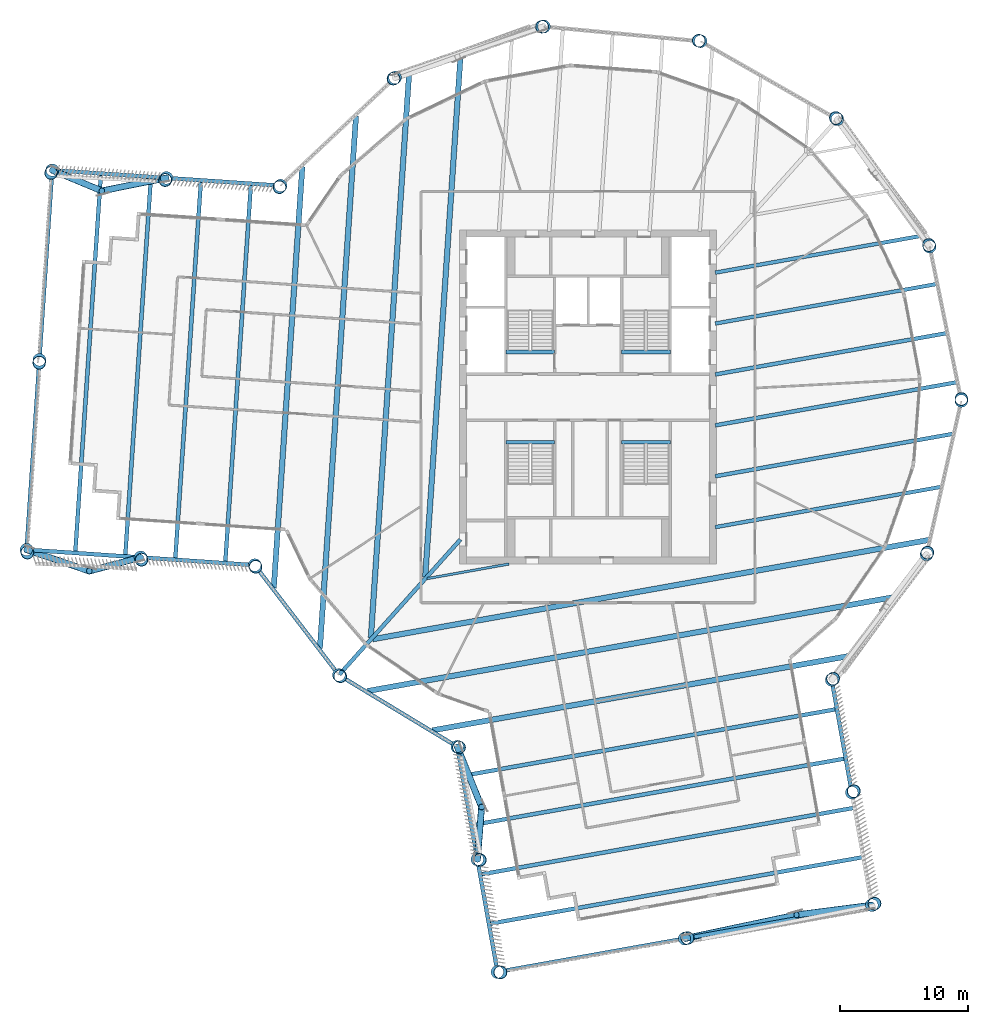
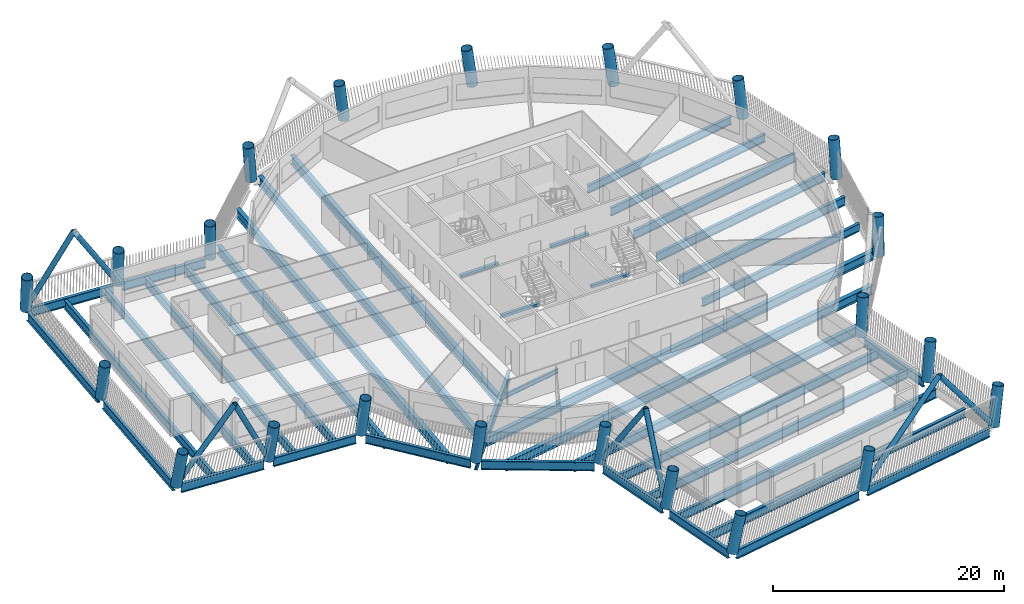
# One storey, part 1 of 22: 40 beams, 22 columns, 8 members.
"""IFC4 building model written with IfcOpenShell, lengths in metres."""

from ifc_helpers import new_model, si_unit, direction, frame, origin, origin_2d, place, context, subcontext, project, spatial, rectangle, hollow_circle, i_section, extrude, material, material_profile, profile_set, type_object, element, save


model = new_model("IFC4")

# Units and contexts
model_context = context("Model", 3, precision=1e-05, world=origin(), true_north=direction((0.0, 1.0)))
body_context = subcontext(model_context, "Body", "Model", "MODEL_VIEW")
ifc_project = project(units=[si_unit("LENGTHUNIT", "METRE"), si_unit("AREAUNIT", "SQUARE_METRE"), si_unit("VOLUMEUNIT", "CUBIC_METRE"), si_unit("PLANEANGLEUNIT", "RADIAN"), si_unit("MASSUNIT", "GRAM", prefix="KILO")], contexts=[model_context])

# Site, building, storey
site_placement = place(None, origin())
site = spatial("IfcSite", under=ifc_project, at=site_placement, CompositionType="ELEMENT")
building_placement = place(site_placement, origin())
building = spatial("IfcBuilding", under=site, at=building_placement, Name="Tarsis Ring Headquarters", CompositionType="ELEMENT")
storey_placement = place(building_placement, frame((0.0, 0.0, 270.800048828125)))
storey = spatial("IfcBuildingStorey", under=building, at=storey_placement, Name="L63", CompositionType="ELEMENT", Elevation=270.800048828125)

# Columns
ifc_material_1 = material(Name="Structural steel S355", Category="steel")
ifc_material_profile_1 = material_profile(ifc_material_1, hollow_circle(Radius=0.508056640625, WallThickness=0.0400390625, at=origin_2d()), Name="CHS 1016x40")
ifc_profile_set_1 = profile_set([ifc_material_profile_1], Name="Structural steel S355")
column_type = type_object("IfcColumnType", Name="XC Exo column CHS 1016x40", PredefinedType="COLUMN", material=ifc_profile_set_1)
for number, where, z_axis, x_axis, name in (
    (1, (-19.391845703125, -21.6279296875, 0.0009765625), (0.096706248508, -0.085215782243, 0.991658293948), (0.661127434756, 0.750273626761, 0.0), "Exo column XC6 F1"),
    (2, (-10.177734375, -27.207275390625, 0.0009765625), (0.121176932041, -0.044098217196, 0.991650895417), (0.341975090873, 0.939709017315, 0.0), "Exo column XC6 AK"),
):
    element("IfcColumn", number, at=place(storey_placement, frame(where, z_axis=z_axis, x_axis=x_axis)), inside=storey, type_object=column_type, Name=name, PredefinedType="COLUMN", context=body_context, shape_type="SweptSolid", body=[
        extrude(hollow_circle(Radius=0.508056640625, WallThickness=0.0400390625, at=origin_2d()), origin(), (0.0, 0.0, 1.0), 3.9306640625),
    ])
column_1_placement = place(storey_placement, frame((-8.61328125, -35.970947265625, 0.001220703125), z_axis=(0.159135190532, -0.036647443878, 0.986576381225), x_axis=(0.224417256913, 0.974493147641, 0.0)))
element("IfcColumn", 3, at=column_1_placement, inside=storey, type_object=column_type, Name="Exo column XC6 AI1", PredefinedType="COLUMN", context=body_context, shape_type="SweptSolid", body=[
    extrude(hollow_circle(Radius=0.508056640625, WallThickness=0.0400390625, at=origin_2d()), origin(), (0.0, 0.0, 1.0), 3.950439453125),
])
column_2_placement = place(storey_placement, frame((-7.049072265625, -44.734619140625, 0.00146484375), z_axis=(0.196481031006, -0.029226553362, 0.980071942785), x_axis=(0.147131152566, 0.989116992041, 0.0)))
element("IfcColumn", 4, at=column_2_placement, inside=storey, type_object=column_type, Name="Exo column XC6 AT1", PredefinedType="COLUMN", context=body_context, shape_type="SweptSolid", body=[
    extrude(hollow_circle(Radius=0.508056640625, WallThickness=0.0400390625, at=origin_2d()), origin(), (0.0, 0.0, 1.0), 3.976318359375),
])
column_3_placement = place(storey_placement, frame((7.520751953125, -42.134033203125, 0.00146484375), z_axis=(0.184898592981, 0.034641566672, 0.982146868942), x_axis=(-0.18415029245, 0.982898097358, 0.0)))
element("IfcColumn", 5, at=column_3_placement, inside=storey, type_object=column_type, Name="Exo column XC6 AT2", PredefinedType="COLUMN", context=body_context, shape_type="SweptSolid", body=[
    extrude(hollow_circle(Radius=0.508056640625, WallThickness=0.0400390625, at=origin_2d()), origin(), (0.0, 0.0, 1.0), 3.9677734375),
])
column_4_placement = place(storey_placement, frame((22.09033203125, -39.533447265625, 0.00146484375), z_axis=(0.172535187325, 0.098424877325, 0.980073544515), x_axis=(-0.495506316286, 0.86860433485, 0.0)))
element("IfcColumn", 6, at=column_4_placement, inside=storey, type_object=column_type, Name="Exo column XC6 AT3", PredefinedType="COLUMN", context=body_context, shape_type="SweptSolid", body=[
    extrude(hollow_circle(Radius=0.508056640625, WallThickness=0.0400390625, at=origin_2d()), origin(), (0.0, 0.0, 1.0), 3.976318359375),
])
column_5_placement = place(storey_placement, frame((20.526123046875, -30.769775390625, 0.001220703125), z_axis=(0.135033123769, 0.091834884174, 0.986576104279), x_axis=(-0.562361776318, 0.826891306362, 0.0)))
element("IfcColumn", 7, at=column_5_placement, inside=storey, type_object=column_type, Name="Exo column XC6 AO1", PredefinedType="COLUMN", context=body_context, shape_type="SweptSolid", body=[
    extrude(hollow_circle(Radius=0.508056640625, WallThickness=0.0400390625, at=origin_2d()), origin(), (0.0, 0.0, 1.0), 3.950439453125),
])
for number, where, z_axis, x_axis, name in (
    (8, (18.9619140625, -22.006103515625, 0.0009765625), (0.096892369579, 0.085029265355, 0.991656136345), (-0.659595445356, 0.751620814284, 0.0), "Exo column XC6 AJ"),
    (9, (26.3466796875, -12.23388671875, 0.0009765625), (0.053290751565, 0.117388718482, 0.991655174227), (-0.910564365073, 0.413367314938, 0.0), "Exo column XC6 R1"),
    (10, (29.047119140625, -0.286376953125, 0.0009765625), (0.000124220503, 0.128940881991, 0.9916522745), (-0.999999535939, 0.00096339069, 0.0), "Exo column XC6 R2"),
    (11, (26.582763671875, 11.712158203125, 0.0009765625), (-0.052980300671, 0.117513163974, 0.991657069774), (-0.911632779551, -0.41100568761, 0.0), "Exo column XC6 R3"),
    (12, (19.391845703125, 21.6279296875, 0.0009765625), (-0.096706248508, 0.085215782243, 0.991658293948), (-0.661127434756, -0.750273626761, 0.0), "Exo column XC6 R4"),
    (13, (8.753173828125, 27.698486328125, 0.0009765625), (-0.123288823189, 0.037763024936, 0.991652066011), (-0.292867066205, -0.956153168448, 0.0), "Exo column XC6 R5"),
    (14, (-3.442138671875, 28.84375, 0.0009765625), (-0.127824191133, -0.016335161452, 0.9916623108), (0.126763063904, -0.99193302477, 0.0), "Exo column XC6 R6"),
    (15, (-15.025146484375, 24.86083984375, 0.0009765625), (-0.109749146647, -0.067638268647, 0.991655277516), (0.524661803193, -0.851310749533, 0.0), "Exo column XC6 R7"),
    (16, (-23.936767578125, 16.457275390625, 0.0009765625), (-0.072110483035, -0.106830345238, 0.991658890735), (0.828848674076, -0.559472855001, 0.0), "Exo column XC6 BJ"),
):
    element("IfcColumn", number, at=place(storey_placement, frame(where, z_axis=z_axis, x_axis=x_axis)), inside=storey, type_object=column_type, Name=name, PredefinedType="COLUMN", context=body_context, shape_type="SweptSolid", body=[
        extrude(hollow_circle(Radius=0.508056640625, WallThickness=0.0400390625, at=origin_2d()), origin(), (0.0, 0.0, 1.0), 3.9306640625),
    ])
column_6_placement = place(storey_placement, frame((-32.818603515625, 17.0595703125, 0.001220703125), z_axis=(-0.074098097411, -0.1455387985, 0.98657383408), x_axis=(0.891149206802, -0.453710360491, 0.0)))
element("IfcColumn", 17, at=column_6_placement, inside=storey, type_object=column_type, Name="Exo column XC6 BO1", PredefinedType="COLUMN", context=body_context, shape_type="SweptSolid", body=[
    extrude(hollow_circle(Radius=0.508056640625, WallThickness=0.0400390625, at=origin_2d()), origin(), (0.0, 0.0, 1.0), 3.950439453125),
])
column_7_placement = place(storey_placement, frame((-41.700439453125, 17.661865234375, 0.00146484375), z_axis=(-0.07589147903, -0.183527209401, 0.980080734848), x_axis=(0.924107203323, -0.382133323288, 0.0)))
element("IfcColumn", 18, at=column_7_placement, inside=storey, type_object=column_type, Name="Exo column XC6 BT3", PredefinedType="COLUMN", context=body_context, shape_type="SweptSolid", body=[
    extrude(hollow_circle(Radius=0.508056640625, WallThickness=0.0400390625, at=origin_2d()), origin(), (0.0, 0.0, 1.0), 3.97607421875),
])
column_8_placement = place(storey_placement, frame((-42.701904296875, 2.895751953125, 0.00146484375), z_axis=(-0.011075454179, -0.187790478627, 0.98214666443), x_axis=(0.998265338338, -0.058875413139, 0.0)))
element("IfcColumn", 19, at=column_8_placement, inside=storey, type_object=column_type, Name="Exo column XC6 BT2", PredefinedType="COLUMN", context=body_context, shape_type="SweptSolid", body=[
    extrude(hollow_circle(Radius=0.508056640625, WallThickness=0.0400390625, at=origin_2d()), origin(), (0.0, 0.0, 1.0), 3.9677734375),
])
column_9_placement = place(storey_placement, frame((-43.703369140625, -11.8701171875, 0.00146484375), z_axis=(0.053725051624, -0.191261183782, 0.980067741744), x_axis=(0.962738993825, 0.270432301636, 0.0)))
element("IfcColumn", 20, at=column_9_placement, inside=storey, type_object=column_type, Name="Exo column XC6 BT1", PredefinedType="COLUMN", context=body_context, shape_type="SweptSolid", body=[
    extrude(hollow_circle(Radius=0.508056640625, WallThickness=0.0400390625, at=origin_2d()), origin(), (0.0, 0.0, 1.0), 3.976318359375),
])
column_10_placement = place(storey_placement, frame((-34.821533203125, -12.472412109375, 0.001220703125), z_axis=(0.056423284924, -0.153263687418, 0.986573187877), x_axis=(0.938427075027, 0.345477386895, 0.0)))
element("IfcColumn", 21, at=column_10_placement, inside=storey, type_object=column_type, Name="Exo column XC6 BI1", PredefinedType="COLUMN", context=body_context, shape_type="SweptSolid", body=[
    extrude(hollow_circle(Radius=0.508056640625, WallThickness=0.0400390625, at=origin_2d()), origin(), (0.0, 0.0, 1.0), 3.950439453125),
])
column_11_placement = place(storey_placement, frame((-25.939697265625, -13.074951171875, 0.0009765625), z_axis=(0.059067003383, -0.114593713187, 0.99165486436), x_axis=(0.888867549633, 0.458164249161, 0.0)))
element("IfcColumn", 22, at=column_11_placement, inside=storey, type_object=column_type, Name="Exo column XC6 BK", PredefinedType="COLUMN", context=body_context, shape_type="SweptSolid", body=[
    extrude(hollow_circle(Radius=0.508056640625, WallThickness=0.0400390625, at=origin_2d()), origin(), (0.0, 0.0, 1.0), 3.9306640625),
])

# Beams
ifc_material_profile_2 = material_profile(ifc_material_1, i_section(OverallWidth=0.1904296875, OverallDepth=0.457275390625, WebThickness=0.009033203125, FlangeThickness=0.014404296875, at=origin_2d()), Name="W18x50")
ifc_profile_set_2 = profile_set([ifc_material_profile_2], Name="Structural steel S355")
beam_type_1 = type_object("IfcBeamType", Name="FB Floor beam W18x50", PredefinedType="JOIST", material=ifc_profile_set_2)
beam_1_placement = place(storey_placement, frame((-12.537109375, -14.12255859375, -0.388671875), z_axis=(0.984443848242, 0.175699486788, 0.0), x_axis=(-0.175699486788, 0.984443848242, 0.0)))
element("IfcBeam", 23, at=beam_1_placement, inside=storey, type_object=beam_type_1, Name="Floor beam FB2", PredefinedType="JOIST", context=body_context, shape_type="SweptSolid", body=[
    extrude(i_section(OverallWidth=0.1904296875, OverallDepth=0.457275390625, WebThickness=0.009033203125, FlangeThickness=0.014404296875, at=origin_2d()), origin(), (0.0, 0.0, 1.0), 6.489013671875),
])
ifc_material_profile_3 = material_profile(ifc_material_1, i_section(OverallWidth=0.2919921875, OverallDepth=0.835693359375, WebThickness=0.013916015625, FlangeThickness=0.018798828125, at=origin_2d()), Name="W33x118")
ifc_profile_set_3 = profile_set([ifc_material_profile_3], Name="Structural steel S355")
beam_type_2 = type_object("IfcBeamType", Name="FB Floor beam W33x118", PredefinedType="JOIST", material=ifc_profile_set_3)
beam_2_placement = place(storey_placement, frame((9.901611328125, 9.690673828125, -0.577880859375), z_axis=(0.984443636294, 0.175700674331, 0.0), x_axis=(-0.175700674331, 0.984443636294, 0.0)))
element("IfcBeam", 24, at=beam_2_placement, inside=storey, type_object=beam_type_2, Name="Floor beam FB7", PredefinedType="JOIST", context=body_context, shape_type="SweptSolid", body=[
    extrude(i_section(OverallWidth=0.2919921875, OverallDepth=0.835693359375, WebThickness=0.013916015625, FlangeThickness=0.018798828125, at=origin_2d()), origin(), (0.0, 0.0, 1.0), 16.2490234375),
])
beam_3_placement = place(storey_placement, frame((9.901611328125, 5.72900390625, -0.577880859375), z_axis=(0.984442406751, 0.175707563271, 0.0), x_axis=(-0.175707563271, 0.984442406751, 0.0)))
element("IfcBeam", 25, at=beam_3_placement, inside=storey, type_object=beam_type_2, Name="Floor beam FB7", PredefinedType="JOIST", context=body_context, shape_type="SweptSolid", body=[
    extrude(i_section(OverallWidth=0.2919921875, OverallDepth=0.835693359375, WebThickness=0.013916015625, FlangeThickness=0.018798828125, at=origin_2d()), origin(), (0.0, 0.0, 1.0), 17.494873046875),
])
beam_4_placement = place(storey_placement, frame((9.901611328125, -10.11767578125, -0.577880859375), z_axis=(0.984440932133, 0.175715824958, 0.0), x_axis=(-0.175715824958, 0.984440932133, 0.0)))
element("IfcBeam", 26, at=beam_4_placement, inside=storey, type_object=beam_type_2, Name="Floor beam FB7", PredefinedType="JOIST", context=body_context, shape_type="SweptSolid", body=[
    extrude(i_section(OverallWidth=0.2919921875, OverallDepth=0.835693359375, WebThickness=0.013916015625, FlangeThickness=0.018798828125, at=origin_2d()), origin(), (0.0, 0.0, 1.0), 17.845458984375),
])
ifc_material_profile_4 = material_profile(ifc_material_1, i_section(OverallWidth=0.3046875, OverallDepth=0.904296875, WebThickness=0.01513671875, FlangeThickness=0.02001953125, at=origin_2d()), Name="W36x135")
ifc_profile_set_4 = profile_set([ifc_material_profile_4], Name="Structural steel S355")
beam_type_3 = type_object("IfcBeamType", Name="FB Floor beam W36x135", PredefinedType="JOIST", material=ifc_profile_set_4)
beam_5_placement = place(storey_placement, frame((9.901611328125, 1.767333984375, -0.612060546875), z_axis=(0.984441595709, 0.175712107263, 0.0), x_axis=(-0.175712107263, 0.984441595709, 0.0)))
element("IfcBeam", 27, at=beam_5_placement, inside=storey, type_object=beam_type_3, Name="Floor beam FB8", PredefinedType="JOIST", context=body_context, shape_type="SweptSolid", body=[
    extrude(i_section(OverallWidth=0.3046875, OverallDepth=0.904296875, WebThickness=0.01513671875, FlangeThickness=0.02001953125, at=origin_2d()), origin(), (0.0, 0.0, 1.0), 18.2919921875),
])
beam_6_placement = place(storey_placement, frame((9.901611328125, -2.1943359375, -0.612060546875), z_axis=(0.984441247267, 0.175714059426, 0.0), x_axis=(-0.175714059426, 0.984441247267, 0.0)))
element("IfcBeam", 28, at=beam_6_placement, inside=storey, type_object=beam_type_3, Name="Floor beam FB8", PredefinedType="JOIST", context=body_context, shape_type="SweptSolid", body=[
    extrude(i_section(OverallWidth=0.3046875, OverallDepth=0.904296875, WebThickness=0.01513671875, FlangeThickness=0.02001953125, at=origin_2d()), origin(), (0.0, 0.0, 1.0), 19.08935546875),
])
beam_7_placement = place(storey_placement, frame((9.901611328125, -6.156005859375, -0.612060546875), z_axis=(0.984440981101, 0.175715550619, 0.0), x_axis=(-0.175715550619, 0.984440981101, 0.0)))
element("IfcBeam", 29, at=beam_7_placement, inside=storey, type_object=beam_type_3, Name="Floor beam FB8", PredefinedType="JOIST", context=body_context, shape_type="SweptSolid", body=[
    extrude(i_section(OverallWidth=0.3046875, OverallDepth=0.904296875, WebThickness=0.01513671875, FlangeThickness=0.02001953125, at=origin_2d()), origin(), (0.0, 0.0, 1.0), 18.793212890625),
])
ifc_material_profile_5 = material_profile(ifc_material_1, i_section(OverallWidth=0.309814453125, OverallDepth=0.949951171875, WebThickness=0.0244140625, FlangeThickness=0.0439453125, at=origin_2d()), Name="W36x256")
ifc_profile_set_5 = profile_set([ifc_material_profile_5], Name="Structural steel S355")
beam_type_4 = type_object("IfcBeamType", Name="FB Floor beam W36x256", PredefinedType="JOIST", material=ifc_profile_set_5)
for number, where, z_axis, x_axis, name in (
    (30, (-9.71875, -29.466064453125, -0.635009765625), (0.984442308014, 0.175708116467, 0.0), (-0.175708116467, 0.984442308014, 0.0), "Floor beam FB11"),
    (31, (-9.033447265625, -33.305419921875, -0.635009765625), (0.984442308014, 0.175708116467, 0.0), (-0.175708116467, 0.984442308014, 0.0), "Floor beam FB11"),
    (32, (-8.34814453125, -37.144775390625, -0.635009765625), (0.984442308014, 0.175708116467, 0.0), (-0.175708116467, 0.984442308014, 0.0), "Floor beam FB11"),
    (33, (-7.662841796875, -40.984130859375, -0.635009765625), (0.984442308014, 0.175708116467, 0.0), (-0.175708116467, 0.984442308014, 0.0), "Floor beam FB11"),
):
    element("IfcBeam", number, at=place(storey_placement, frame(where, z_axis=z_axis, x_axis=x_axis)), inside=storey, type_object=beam_type_4, Name=name, PredefinedType="JOIST", context=body_context, shape_type="SweptSolid", body=[
        extrude(i_section(OverallWidth=0.309814453125, OverallDepth=0.949951171875, WebThickness=0.0244140625, FlangeThickness=0.0439453125, at=origin_2d()), origin(), (0.0, 0.0, 1.0), 29.489990234375),
    ])
for number, where, z_axis, x_axis, name in (
    (34, (-26.23974609375, 16.55859375, -0.635009765625), (-0.067661867956, -0.997708309891, 0.0), (0.997708309891, -0.067661867956, 0.0), "Floor beam FB11"),
    (35, (-30.130615234375, 16.822509765625, -0.635009765625), (-0.067670108755, -0.997707750988, 0.0), (0.997707750988, -0.067670108755, 0.0), "Floor beam FB11"),
    (36, (-34.021728515625, 17.08642578125, -0.635009765625), (-0.067670108755, -0.997707750988, 0.0), (0.997707750988, -0.067670108755, 0.0), "Floor beam FB11"),
    (37, (-37.912841796875, 17.350341796875, -0.635009765625), (-0.067670108755, -0.997707750988, 0.0), (0.997707750988, -0.067670108755, 0.0), "Floor beam FB11"),
):
    element("IfcBeam", number, at=place(storey_placement, frame(where, z_axis=z_axis, x_axis=x_axis)), inside=storey, type_object=beam_type_4, Name=name, PredefinedType="JOIST", context=body_context, shape_type="SweptSolid", body=[
        extrude(i_section(OverallWidth=0.309814453125, OverallDepth=0.949951171875, WebThickness=0.0244140625, FlangeThickness=0.0439453125, at=origin_2d()), origin(), (0.0, 0.0, 1.0), 29.490234375),
    ])
beam_type_5 = type_object("IfcBeamType", Name="FB Floor beam W36x256 spine", PredefinedType="BEAM", material=ifc_profile_set_5)
beam_8_placement = place(storey_placement, frame((-9.933349609375, -11.07861328125, -0.635009765625), z_axis=(-0.667571805579, -0.744545421311, 0.0), x_axis=(0.744545421311, -0.667571805579, 0.0)))
element("IfcBeam", 38, at=beam_8_placement, inside=storey, type_object=beam_type_5, Name="Floor beam SB11", PredefinedType="BEAM", context=body_context, shape_type="SweptSolid", body=[
    extrude(i_section(OverallWidth=0.309814453125, OverallDepth=0.949951171875, WebThickness=0.0244140625, FlangeThickness=0.0439453125, at=origin_2d()), origin(), (0.0, 0.0, 1.0), 14.111083984375),
])
ifc_material_profile_6 = material_profile(ifc_material_1, i_section(OverallWidth=0.42431640625, OverallDepth=0.947509765625, WebThickness=0.02392578125, FlangeThickness=0.042724609375, at=origin_2d()), Name="W36x302")
ifc_profile_set_6 = profile_set([ifc_material_profile_6], Name="Structural steel S355")
beam_type_6 = type_object("IfcBeamType", Name="FB Floor beam W36x302", PredefinedType="JOIST", material=ifc_profile_set_6)
beam_9_placement = place(storey_placement, frame((-16.76611328125, -18.839111328125, -0.6337890625), z_axis=(0.984441671088, 0.175711684943, 0.0), x_axis=(-0.175711684943, 0.984441671088, 0.0)))
element("IfcBeam", 39, at=beam_9_placement, inside=storey, type_object=beam_type_6, Name="Floor beam FB12", PredefinedType="JOIST", context=body_context, shape_type="SweptSolid", body=[
    extrude(i_section(OverallWidth=0.42431640625, OverallDepth=0.947509765625, WebThickness=0.02392578125, FlangeThickness=0.042724609375, at=origin_2d()), origin(), (0.0, 0.0, 1.0), 43.98681640625),
])
beam_10_placement = place(storey_placement, frame((-17.16552734375, -22.8720703125, -0.6337890625), z_axis=(0.98444192588, 0.175710257443, 0.0), x_axis=(-0.175710257443, 0.98444192588, 0.0)))
element("IfcBeam", 40, at=beam_10_placement, inside=storey, type_object=beam_type_6, Name="Floor beam FB12", PredefinedType="JOIST", context=body_context, shape_type="SweptSolid", body=[
    extrude(i_section(OverallWidth=0.42431640625, OverallDepth=0.947509765625, WebThickness=0.02392578125, FlangeThickness=0.042724609375, at=origin_2d()), origin(), (0.0, 0.0, 1.0), 41.523681640625),
])
beam_11_placement = place(storey_placement, frame((-12.112548828125, -25.931640625, -0.6337890625), z_axis=(0.984442947429, 0.175704533966, 0.0), x_axis=(-0.175704533966, 0.984442947429, 0.0)))
element("IfcBeam", 41, at=beam_11_placement, inside=storey, type_object=beam_type_6, Name="Floor beam FB12", PredefinedType="JOIST", context=body_context, shape_type="SweptSolid", body=[
    extrude(i_section(OverallWidth=0.42431640625, OverallDepth=0.947509765625, WebThickness=0.02392578125, FlangeThickness=0.042724609375, at=origin_2d()), origin(), (0.0, 0.0, 1.0), 32.87548828125),
])
beam_12_placement = place(storey_placement, frame((-9.92626953125, 26.547607421875, -0.6337890625), z_axis=(-0.067669310354, -0.997707805139, 0.0), x_axis=(0.997707805139, -0.067669310354, 0.0)))
element("IfcBeam", 42, at=beam_12_placement, inside=storey, type_object=beam_type_6, Name="Floor beam FB12", PredefinedType="JOIST", context=body_context, shape_type="SweptSolid", body=[
    extrude(i_section(OverallWidth=0.42431640625, OverallDepth=0.947509765625, WebThickness=0.02392578125, FlangeThickness=0.042724609375, at=origin_2d()), origin(), (0.0, 0.0, 1.0), 40.638916015625),
])
beam_13_placement = place(storey_placement, frame((-13.9287109375, 25.17138671875, -0.6337890625), z_axis=(-0.067664278316, -0.997708146424, 0.0), x_axis=(0.997708146424, -0.067664278316, 0.0)))
element("IfcBeam", 43, at=beam_13_placement, inside=storey, type_object=beam_type_6, Name="Floor beam FB12", PredefinedType="JOIST", context=body_context, shape_type="SweptSolid", body=[
    extrude(i_section(OverallWidth=0.42431640625, OverallDepth=0.947509765625, WebThickness=0.02392578125, FlangeThickness=0.042724609375, at=origin_2d()), origin(), (0.0, 0.0, 1.0), 43.986572265625),
])
beam_14_placement = place(storey_placement, frame((-18.06103515625, 21.878662109375, -0.6337890625), z_axis=(-0.067661571914, -0.997708329967, 0.0), x_axis=(0.997708329967, -0.067661571914, 0.0)))
element("IfcBeam", 44, at=beam_14_placement, inside=storey, type_object=beam_type_6, Name="Floor beam FB12", PredefinedType="JOIST", context=body_context, shape_type="SweptSolid", body=[
    extrude(i_section(OverallWidth=0.42431640625, OverallDepth=0.947509765625, WebThickness=0.02392578125, FlangeThickness=0.042724609375, at=origin_2d()), origin(), (0.0, 0.0, 1.0), 41.52392578125),
])
beam_15_placement = place(storey_placement, frame((-22.237060546875, 17.940673828125, -0.6337890625), z_axis=(-0.06766789774, -0.997707900949, 0.0), x_axis=(0.997707900949, -0.06766789774, 0.0)))
element("IfcBeam", 45, at=beam_15_placement, inside=storey, type_object=beam_type_6, Name="Floor beam FB12", PredefinedType="JOIST", context=body_context, shape_type="SweptSolid", body=[
    extrude(i_section(OverallWidth=0.42431640625, OverallDepth=0.947509765625, WebThickness=0.02392578125, FlangeThickness=0.042724609375, at=origin_2d()), origin(), (0.0, 0.0, 1.0), 32.87548828125),
])
ifc_material_2 = material(Name="Concrete C40/50", Category="concrete")
ifc_material_profile_7 = material_profile(ifc_material_2, rectangle(XDim=0.300048828125, YDim=0.300048828125, at=origin_2d()), Name="Stair head beam 300x300 C40/50")
ifc_profile_set_7 = profile_set([ifc_material_profile_7], Name="Concrete C40/50")
beam_type_7 = type_object("IfcBeamType", Name="Stair head beam 300x300 C40/50", PredefinedType="BEAM", material=ifc_profile_set_7)
for number, where, z_axis, x_axis, name in (
    (46, (-6.39990234375, 3.510009765625, -0.31005859375), (1.0, 0.0, 0.0), (0.0, 1.0, 0.0), "Stair head beam L63 Firefighting stair"),
    (47, (2.60009765625, 3.510009765625, -0.31005859375), (1.0, 0.0, 0.0), (0.0, 1.0, 0.0), "Stair head beam L63 Exit stair B"),
    (48, (-6.39990234375, -3.510009765625, -0.31005859375), (1.0, 0.0, 0.0), (0.0, 1.0, 0.0), "Stair head beam L63 Exit stair C"),
    (49, (2.60009765625, -3.510009765625, -0.31005859375), (1.0, 0.0, 0.0), (0.0, 1.0, 0.0), "Stair head beam L63 Exit stair D"),
):
    element("IfcBeam", number, at=place(storey_placement, frame(where, z_axis=z_axis, x_axis=x_axis)), inside=storey, type_object=beam_type_7, Name=name, PredefinedType="BEAM", context=body_context, shape_type="SweptSolid", body=[
        extrude(rectangle(XDim=0.300048828125, YDim=0.300048828125, at=origin_2d()), origin(), (0.0, 0.0, 1.0), 3.7998046875),
    ])

# Members
ifc_material_profile_8 = material_profile(ifc_material_1, hollow_circle(Radius=0.25390625, WallThickness=0.02001953125, at=origin_2d()), Name="CHS 508x20")
ifc_profile_set_8 = profile_set([ifc_material_profile_8], Name="Structural steel S355")
member_type = type_object("IfcMemberType", Name="XD X brace CHS 508x20", PredefinedType="BRACE", material=ifc_profile_set_8)
member_1_placement = place(storey_placement, frame((-10.177734375, -27.207275390625, 0.0), z_axis=(0.203330438888, -0.50457044587, 0.839086049089), x_axis=(0.927521392421, 0.373770071837, 0.0)))
element("IfcMember", 50, at=member_1_placement, inside=storey, type_object=member_type, Name="X brace XD2", PredefinedType="BRACE", context=body_context, shape_type="SweptSolid", body=[
    extrude(hollow_circle(Radius=0.25390625, WallThickness=0.02001953125, at=origin_2d()), origin(), (0.0, 0.0, 1.0), 9.2958984375),
])
member_2_placement = place(storey_placement, frame((-8.613525390625, -35.970947265625, 0.0), z_axis=(0.037013759703, 0.462574956464, 0.885807197558), x_axis=(-0.996813948582, 0.079761844963, 0.0)))
element("IfcMember", 51, at=member_2_placement, inside=storey, type_object=member_type, Name="X brace XD2", PredefinedType="BRACE", context=body_context, shape_type="SweptSolid", body=[
    extrude(hollow_circle(Radius=0.25390625, WallThickness=0.02001953125, at=origin_2d()), origin(), (0.0, 0.0, 1.0), 8.8056640625),
])
member_3_placement = place(storey_placement, frame((7.5205078125, -42.134033203125, 0.0), z_axis=(0.735522548151, 0.155694102058, 0.659367824318), x_axis=(-0.207089459454, 0.978322010272, 0.0)))
element("IfcMember", 52, at=member_3_placement, inside=storey, type_object=member_type, Name="X brace XD2", PredefinedType="BRACE", context=body_context, shape_type="SweptSolid", body=[
    extrude(hollow_circle(Radius=0.25390625, WallThickness=0.02001953125, at=origin_2d()), origin(), (0.0, 0.0, 1.0), 11.82958984375),
])
member_4_placement = place(storey_placement, frame((22.090087890625, -39.53369140625, 0.0), z_axis=(-0.599412699384, -0.077476298236, 0.796681767727), x_axis=(0.128187335187, -0.991749972068, 0.0)))
element("IfcMember", 53, at=member_4_placement, inside=storey, type_object=member_type, Name="X brace XD2", PredefinedType="BRACE", context=body_context, shape_type="SweptSolid", body=[
    extrude(hollow_circle(Radius=0.25390625, WallThickness=0.02001953125, at=origin_2d()), origin(), (0.0, 0.0, 1.0), 9.790771484375),
])
member_5_placement = place(storey_placement, frame((-32.818603515625, 17.059814453125, 0.0), z_axis=(-0.538329997674, -0.108194415199, 0.835760002706), x_axis=(0.197041374166, -0.980395173829, 0.0)))
element("IfcMember", 54, at=member_5_placement, inside=storey, type_object=member_type, Name="X brace XD2", PredefinedType="BRACE", context=body_context, shape_type="SweptSolid", body=[
    extrude(hollow_circle(Radius=0.25390625, WallThickness=0.02001953125, at=origin_2d()), origin(), (0.0, 0.0, 1.0), 9.332763671875),
])
member_6_placement = place(storey_placement, frame((-41.700439453125, 17.662109375, 0.0), z_axis=(0.435898394209, -0.18215537605, 0.881369394126), x_axis=(0.385572970895, 0.922677345617, 0.0)))
element("IfcMember", 55, at=member_6_placement, inside=storey, type_object=member_type, Name="X brace XD2", PredefinedType="BRACE", context=body_context, shape_type="SweptSolid", body=[
    extrude(hollow_circle(Radius=0.25390625, WallThickness=0.02001953125, at=origin_2d()), origin(), (0.0, 0.0, 1.0), 8.849853515625),
])
member_7_placement = place(storey_placement, frame((-43.703369140625, -11.869873046875, 0.0), z_axis=(0.522670072469, -0.177876932991, 0.833772026429), x_axis=(0.322177276263, 0.94667935578, 0.0)))
element("IfcMember", 56, at=member_7_placement, inside=storey, type_object=member_type, Name="X brace XD2", PredefinedType="BRACE", context=body_context, shape_type="SweptSolid", body=[
    extrude(hollow_circle(Radius=0.25390625, WallThickness=0.02001953125, at=origin_2d()), origin(), (0.0, 0.0, 1.0), 9.355224609375),
])
member_8_placement = place(storey_placement, frame((-34.821533203125, -12.472412109375, 0.0), z_axis=(-0.452301297044, -0.120267003397, 0.883719064288), x_axis=(0.256971029614, -0.966419106775, 0.0)))
element("IfcMember", 57, at=member_8_placement, inside=storey, type_object=member_type, Name="X brace XD2", PredefinedType="BRACE", context=body_context, shape_type="SweptSolid", body=[
    extrude(hollow_circle(Radius=0.25390625, WallThickness=0.02001953125, at=origin_2d()), origin(), (0.0, 0.0, 1.0), 8.826416015625),
])

# Beams
ifc_material_profile_9 = material_profile(ifc_material_1, i_section(OverallWidth=0.309814453125, OverallDepth=0.93212890625, WebThickness=0.02099609375, FlangeThickness=0.034423828125, at=origin_2d()), Name="W36x210")
ifc_profile_set_9 = profile_set([ifc_material_profile_9], Name="Structural steel S355")
beam_type_8 = type_object("IfcBeamType", Name="XG Ring girder W36x210", PredefinedType="BEAM", material=ifc_profile_set_9)
beam_16_placement = place(storey_placement, frame((-19.0009765625, -21.86474609375, -0.466064453125), z_axis=(0.855407675034, -0.517955316115, 0.0), x_axis=(0.517955316115, 0.855407675034, 0.0)))
element("IfcBeam", 58, at=beam_16_placement, inside=storey, type_object=beam_type_8, Name="Ring girder XG3", PredefinedType="BEAM", context=body_context, shape_type="SweptSolid", body=[
    extrude(i_section(OverallWidth=0.309814453125, OverallDepth=0.93212890625, WebThickness=0.02099609375, FlangeThickness=0.034423828125, at=origin_2d()), origin(), (0.0, 0.0, 1.0), 9.857421875),
])
for number, where, z_axis, x_axis, name in (
    (59, (-10.097412109375, -27.6572265625, -0.466064453125), (0.175713415243, -0.984441362247, 0.0), (0.984441362247, 0.175713415243, 0.0), "Ring girder XG3"),
    (60, (-8.533203125, -36.4208984375, -0.466064453125), (0.175713415243, -0.984441362247, 0.0), (0.984441362247, 0.175713415243, 0.0), "Ring girder XG3"),
):
    element("IfcBeam", number, at=place(storey_placement, frame(where, z_axis=z_axis, x_axis=x_axis)), inside=storey, type_object=beam_type_8, Name=name, PredefinedType="BEAM", context=body_context, shape_type="SweptSolid", body=[
        extrude(i_section(OverallWidth=0.309814453125, OverallDepth=0.93212890625, WebThickness=0.02099609375, FlangeThickness=0.034423828125, at=origin_2d()), origin(), (0.0, 0.0, 1.0), 7.98779296875),
    ])
for number, where, z_axis, x_axis, name in (
    (61, (-6.599365234375, -44.654296875, -0.466064453125), (0.984440938558, 0.175715788965, 0.0), (-0.175715788965, 0.984440938558, 0.0), "Ring girder XG3"),
    (62, (7.970458984375, -42.0537109375, -0.466064453125), (0.984443979808, 0.175698749624, 0.0), (-0.175698749624, 0.984443979808, 0.0), "Ring girder XG3"),
):
    element("IfcBeam", number, at=place(storey_placement, frame(where, z_axis=z_axis, x_axis=x_axis)), inside=storey, type_object=beam_type_8, Name=name, PredefinedType="BEAM", context=body_context, shape_type="SweptSolid", body=[
        extrude(i_section(OverallWidth=0.309814453125, OverallDepth=0.93212890625, WebThickness=0.02099609375, FlangeThickness=0.034423828125, at=origin_2d()), origin(), (0.0, 0.0, 1.0), 13.8857421875),
    ])
beam_17_placement = place(storey_placement, frame((20.445556640625, -30.31982421875, -0.466064453125), z_axis=(-0.175713415243, 0.984441362247, 0.0), x_axis=(-0.984441362247, -0.175713415243, 0.0)))
element("IfcBeam", 63, at=beam_17_placement, inside=storey, type_object=beam_type_8, Name="Ring girder XG3", PredefinedType="BEAM", context=body_context, shape_type="SweptSolid", body=[
    extrude(i_section(OverallWidth=0.309814453125, OverallDepth=0.93212890625, WebThickness=0.02099609375, FlangeThickness=0.034423828125, at=origin_2d()), origin(), (0.0, 0.0, 1.0), 7.98779296875),
])
for number, where, z_axis, x_axis, name in (
    (64, (-24.392822265625, 16.48828125, -0.466064453125), (-0.997707953813, 0.067667118299, 0.0), (-0.067667118299, -0.997707953813, 0.0), "Ring girder XG3"),
    (65, (-33.274658203125, 17.0908203125, -0.466064453125), (-0.997707953813, 0.067667118299, 0.0), (-0.067667118299, -0.997707953813, 0.0), "Ring girder XG3"),
):
    element("IfcBeam", number, at=place(storey_placement, frame(where, z_axis=z_axis, x_axis=x_axis)), inside=storey, type_object=beam_type_8, Name=name, PredefinedType="BEAM", context=body_context, shape_type="SweptSolid", body=[
        extrude(i_section(OverallWidth=0.309814453125, OverallDepth=0.93212890625, WebThickness=0.02099609375, FlangeThickness=0.034423828125, at=origin_2d()), origin(), (0.0, 0.0, 1.0), 7.988037109375),
    ])
for number, where, z_axis, x_axis, name in (
    (66, (-41.7314453125, 17.2060546875, -0.466064453125), (-0.067656761108, -0.99770865621, 0.0), (0.99770865621, -0.067656761108, 0.0), "Ring girder XG3"),
    (67, (-42.73291015625, 2.43994140625, -0.466064453125), (-0.067656761108, -0.99770865621, 0.0), (0.99770865621, -0.067656761108, 0.0), "Ring girder XG3"),
):
    element("IfcBeam", number, at=place(storey_placement, frame(where, z_axis=z_axis, x_axis=x_axis)), inside=storey, type_object=beam_type_8, Name=name, PredefinedType="BEAM", context=body_context, shape_type="SweptSolid", body=[
        extrude(i_section(OverallWidth=0.309814453125, OverallDepth=0.93212890625, WebThickness=0.02099609375, FlangeThickness=0.034423828125, at=origin_2d()), origin(), (0.0, 0.0, 1.0), 13.885498046875),
    ])
for number, where, z_axis, x_axis, name in (
    (68, (-43.247314453125, -11.90087890625, -0.466064453125), (0.997707953813, -0.067667118299, 0.0), (0.067667118299, 0.997707953813, 0.0), "Ring girder XG3"),
    (69, (-34.365478515625, -12.503173828125, -0.466064453125), (0.997707953813, -0.067667118299, 0.0), (0.067667118299, 0.997707953813, 0.0), "Ring girder XG3"),
):
    element("IfcBeam", number, at=place(storey_placement, frame(where, z_axis=z_axis, x_axis=x_axis)), inside=storey, type_object=beam_type_8, Name=name, PredefinedType="BEAM", context=body_context, shape_type="SweptSolid", body=[
        extrude(i_section(OverallWidth=0.309814453125, OverallDepth=0.93212890625, WebThickness=0.02099609375, FlangeThickness=0.034423828125, at=origin_2d()), origin(), (0.0, 0.0, 1.0), 7.988037109375),
    ])
beam_18_placement = place(storey_placement, frame((-25.661865234375, -13.437744140625, -0.466064453125), z_axis=(0.607864634296, -0.794040670477, 0.0), x_axis=(0.794040670477, 0.607864634296, 0.0)))
element("IfcBeam", 70, at=beam_18_placement, inside=storey, type_object=beam_type_8, Name="Ring girder XG3", PredefinedType="BEAM", context=body_context, shape_type="SweptSolid", body=[
    extrude(i_section(OverallWidth=0.309814453125, OverallDepth=0.93212890625, WebThickness=0.02099609375, FlangeThickness=0.034423828125, at=origin_2d()), origin(), (0.0, 0.0, 1.0), 9.857421875),
])

save(model, "model.ifc")
